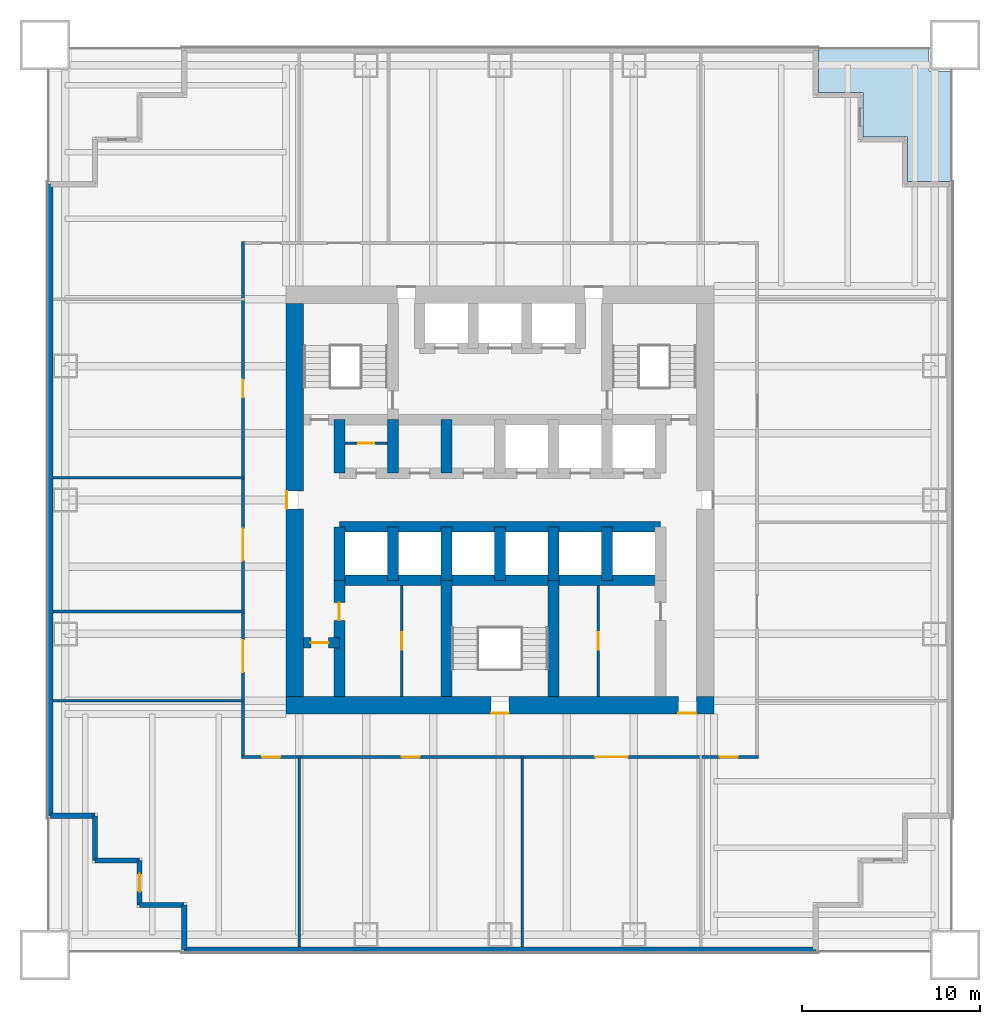
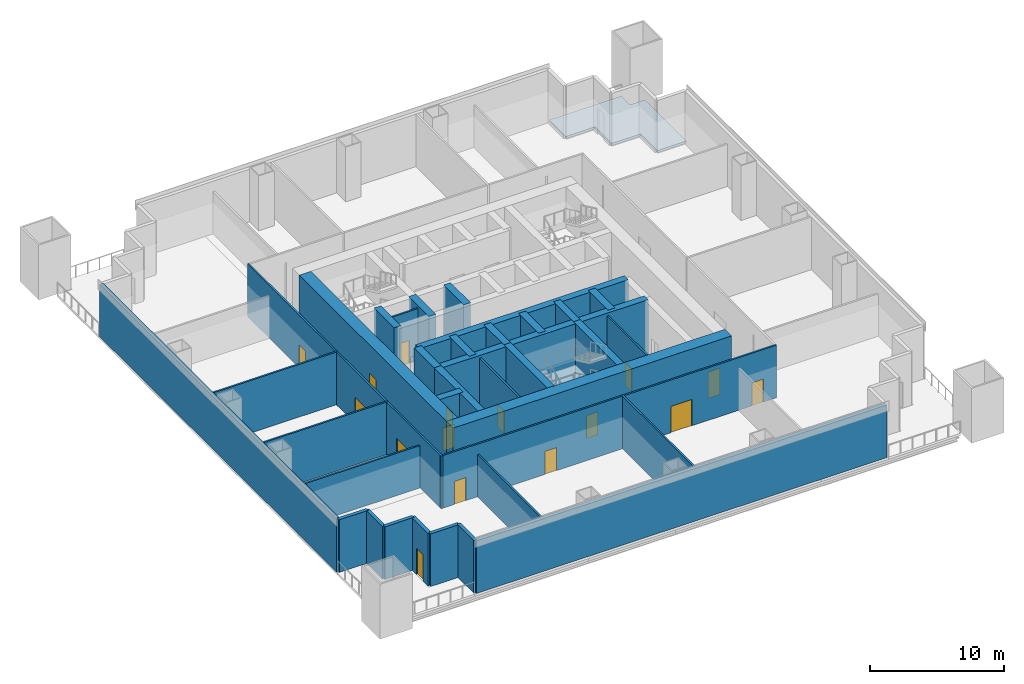
# One storey, part 2 of 6: 35 walls, 16 doors, 1 slab, 16 openings.
"""IFC4 building model written with IfcOpenShell, lengths in metres."""

import ifcopenshell
import ifcopenshell.guid

model = None  # the IFC model being written
_history = None  # IfcOwnerHistory: only IFC2X3 demands one
_inside = {}  # id of a spatial element -> (the spatial element, [elements in it])
_under = {}  # id of a project, library or spatial element -> (it, [spatial elements below it])
_declared = {}  # id of a project -> (the project, [libraries it declares])
_typed = {}  # id of a type object -> (the type object, [elements of that type])
_made_of = {}  # id of a material, layer set ... -> (it, [elements and type objects made of it])


def new_model(schema):
    """Start an empty IFC model of exactly this schema.

    Asked for "IFC4X3", IfcOpenShell would pick the latest addendum, in which some entities
    have other attributes; the version numbers below select the first issue.
    IFC2X3 requires an IfcOwnerHistory on every rooted entity: one is made here for all.
    """
    global model, _history
    if schema == "IFC4X3":
        model = ifcopenshell.file(schema_version=(4, 3, 0, 0))
    else:
        model = ifcopenshell.file(schema=schema)
    _inside.clear()
    _under.clear()
    _declared.clear()
    _typed.clear()
    _made_of.clear()
    _history = None
    if model.schema == "IFC2X3":
        org = make("IfcOrganization", Name="unknown")
        user = make(
            "IfcPersonAndOrganization",
            ThePerson=make("IfcPerson", FamilyName="unknown"),
            TheOrganization=org,
        )
        app = make(
            "IfcApplication",
            ApplicationDeveloper=org,
            Version="unknown",
            ApplicationFullName="unknown",
            ApplicationIdentifier="unknown",
        )
        _history = make(
            "IfcOwnerHistory",
            OwningUser=user,
            OwningApplication=app,
            ChangeAction="ADDED",
            CreationDate=0,
        )
    return model


def make(cls, **values):
    """One entity of the class cls with the attributes given. An attribute that is None is left unset."""
    return model.create_entity(
        cls, **{name: value for name, value in values.items() if value is not None}
    )


def rooted(cls, **values):
    """An entity with a GlobalId (a new one), such as an element, a storey or a relation."""
    return make(cls, GlobalId=ifcopenshell.guid.new(), OwnerHistory=_history, **values)


def si_unit(unit_type, name, prefix=None):
    """IfcSIUnit, for example si_unit("LENGTHUNIT", "METRE", prefix="MILLI")."""
    return make("IfcSIUnit", UnitType=unit_type, Prefix=prefix, Name=name)


def assignment(units):
    """IfcUnitAssignment: the units of a project."""
    return None if units is None else make("IfcUnitAssignment", Units=units)


def point(xyz):
    """IfcCartesianPoint."""
    return None if xyz is None else make("IfcCartesianPoint", Coordinates=xyz)


def direction(xyz):
    """IfcDirection."""
    return None if xyz is None else make("IfcDirection", DirectionRatios=xyz)


def frame(location, z_axis=None, x_axis=None):
    """IfcAxis2Placement3D, a coordinate frame: its origin and axes. An axis left out is left unset."""
    return make(
        "IfcAxis2Placement3D",
        Location=point(location),
        Axis=direction(z_axis),
        RefDirection=direction(x_axis),
    )


def frame_2d(location, x_axis=None):
    """IfcAxis2Placement2D, a coordinate frame in the plane: its origin and x axis."""
    return make(
        "IfcAxis2Placement2D", Location=point(location), RefDirection=direction(x_axis)
    )


def origin():
    """The frame at (0, 0, 0) with its axes left unset."""
    return frame((0.0, 0.0, 0.0))


def place(relative_to, where):
    """IfcLocalPlacement: puts the frame where relative to a parent placement (None: the world)."""
    return make(
        "IfcLocalPlacement", PlacementRelTo=relative_to, RelativePlacement=where
    )


def context(
    kind, dimensions, precision=None, world=None, true_north=None, identifier=None
):
    """IfcGeometricRepresentationContext, for example the 3D "Model" context."""
    return make(
        "IfcGeometricRepresentationContext",
        ContextIdentifier=identifier,
        ContextType=kind,
        CoordinateSpaceDimension=dimensions,
        Precision=precision,
        WorldCoordinateSystem=world,
        TrueNorth=true_north,
    )


def subcontext(parent, identifier, kind, view, scale=None):
    """IfcGeometricRepresentationSubContext, for example "Body" below "Model"."""
    return make(
        "IfcGeometricRepresentationSubContext",
        ContextIdentifier=identifier,
        ContextType=kind,
        ParentContext=parent,
        TargetScale=scale,
        TargetView=view,
    )


def project(units=None, contexts=None):
    """IfcProject with its units and contexts."""
    return rooted(
        "IfcProject",
        Name="project",
        RepresentationContexts=contexts,
        UnitsInContext=assignment(units),
    )


def spatial(cls, under=None, at=None, **own):
    """A site, building, storey or space (cls), placed at a placement, below another one or the project."""
    s = rooted(cls, ObjectPlacement=at, **own)
    if under is not None:
        _under.setdefault(under.id(), (under, []))[1].append(s)
    return s


def polyline(points):
    """IfcPolyline through the points."""
    return make("IfcPolyline", Points=[point(p) for p in points])


def profile(cls, at=None, kind="AREA", **sizes):
    """A parametric profile (cls). Its sizes go by their IFC names, for example OverallWidth=200.0."""
    return make(cls, ProfileType=kind, Position=at, **sizes)


def rectangle(**sizes):
    """IfcRectangleProfileDef."""
    return profile("IfcRectangleProfileDef", **sizes)


def outline(outer, holes=None, kind="AREA"):
    """IfcArbitraryClosedProfileDef: a profile drawn as a closed curve; with holes, ...WithVoids."""
    if holes is None:
        return make("IfcArbitraryClosedProfileDef", ProfileType=kind, OuterCurve=outer)
    return make(
        "IfcArbitraryProfileDefWithVoids",
        ProfileType=kind,
        OuterCurve=outer,
        InnerCurves=holes,
    )


def extrude(swept, where, along, depth):
    """IfcExtrudedAreaSolid: the profile swept, set in the frame where, extruded along a direction by depth."""
    return make(
        "IfcExtrudedAreaSolid",
        SweptArea=swept,
        Position=where,
        ExtrudedDirection=direction(along),
        Depth=depth,
    )


def shape(context_of_items, identifier, shape_type, items):
    """IfcShapeRepresentation: the items that make up one representation, for example the "Body"."""
    return make(
        "IfcShapeRepresentation",
        ContextOfItems=context_of_items,
        RepresentationIdentifier=identifier,
        RepresentationType=shape_type,
        Items=items,
    )


def material(Name=None, Category=None):
    """IfcMaterial."""
    return make("IfcMaterial", Name=Name, Category=Category)


def layer(
    of_material, thickness, ventilated=None, Name=None, Category=None, Priority=None
):
    """IfcMaterialLayer: one layer of a wall or slab, of a material (None: an air gap)."""
    return make(
        "IfcMaterialLayer",
        Material=of_material,
        LayerThickness=thickness,
        IsVentilated=ventilated,
        Name=Name,
        Category=Category,
        Priority=Priority,
    )


def layer_set(layers, Name=None):
    """IfcMaterialLayerSet."""
    return make("IfcMaterialLayerSet", MaterialLayers=layers, LayerSetName=Name)


def made_of(thing, what):
    """Note that an element or type object is made of a material, layer set ...; save() writes the relation."""
    if what is not None:
        _made_of.setdefault(what.id(), (what, []))[1].append(thing)
    return thing


def type_object(cls, material=None, **own):
    """A type object (cls), such as IfcWallType, which elements share."""
    return made_of(rooted(cls, **own), material)


def element(
    cls,
    number,
    at=None,
    inside=None,
    cuts=None,
    type_object=None,
    material=None,
    context=None,
    identifier="Body",
    shape_type=None,
    held_by="IfcProductDefinitionShape",
    body=None,
    shapes=None,
    **own,
):
    """One element of the class cls, such as IfcWall. Its Tag is "e" and its number.

    at: its placement. inside: the storey or other place that contains it. cuts: it is an
    opening in that element (IfcRelVoidsElement). A single representation is given by context,
    identifier, shape_type and body (its items); several are given by shapes. held_by: the class
    of the entity that holds the representations. save() writes the other relations.
    """
    e = rooted(cls, Tag="e%d" % number, ObjectPlacement=at, **own)
    if body is not None:
        shapes = [shape(context, identifier, shape_type, body)]
    if shapes is not None:
        e.Representation = make(held_by, Representations=shapes)
    if inside is not None:
        _inside.setdefault(inside.id(), (inside, []))[1].append(e)
    if cuts is not None:
        rooted(
            "IfcRelVoidsElement", RelatingBuildingElement=cuts, RelatedOpeningElement=e
        )
    if type_object is not None:
        _typed.setdefault(type_object.id(), (type_object, []))[1].append(e)
    return made_of(e, material)


def fill(opening, filler):
    """IfcRelFillsElement: the door or window that sits in an opening."""
    return rooted(
        "IfcRelFillsElement",
        RelatingOpeningElement=opening,
        RelatedBuildingElement=filler,
    )


def aggregate(whole, parts):
    """IfcRelAggregates: a whole, such as a stair, and the parts it consists of."""
    return rooted("IfcRelAggregates", RelatingObject=whole, RelatedObjects=parts)


def save(model, path):
    """Write the relations noted so far, then the file.

    IfcRelAggregates (storeys below a building ...), IfcRelContainedInSpatialStructure (elements
    in a storey), IfcRelDefinesByType, IfcRelAssociatesMaterial and IfcRelDeclares: one each for
    every whole, place, type object, material and project.
    """
    for whole, parts in _under.values():
        aggregate(whole, parts)
    for where, things in _inside.values():
        rooted(
            "IfcRelContainedInSpatialStructure",
            RelatedElements=things,
            RelatingStructure=where,
        )
    for kind, things in _typed.values():
        rooted("IfcRelDefinesByType", RelatedObjects=things, RelatingType=kind)
    for what, things in _made_of.values():
        rooted("IfcRelAssociatesMaterial", RelatedObjects=things, RelatingMaterial=what)
    for by, libraries in _declared.values():
        rooted("IfcRelDeclares", RelatingContext=by, RelatedDefinitions=libraries)
    model.write(path)


model = new_model("IFC4")

# Units and contexts
model_context = context("Model", 3, precision=1e-05, world=origin(), true_north=direction((0.0, 1.0)))
body_context = subcontext(model_context, "Body", "Model", "MODEL_VIEW")
ifc_project = project(units=[si_unit("LENGTHUNIT", "METRE"), si_unit("AREAUNIT", "SQUARE_METRE"), si_unit("VOLUMEUNIT", "CUBIC_METRE"), si_unit("PLANEANGLEUNIT", "RADIAN"), si_unit("MASSUNIT", "GRAM", prefix="KILO")], contexts=[model_context])

# Site, building, storey
site_placement = place(None, origin())
site = spatial("IfcSite", under=ifc_project, at=site_placement, CompositionType="ELEMENT")
building_placement = place(site_placement, origin())
building = spatial("IfcBuilding", under=site, at=building_placement, Name="Tarangal Relay Tower", CompositionType="ELEMENT")
storey_placement = place(building_placement, frame((0.0, 0.0, 68.39990234375)))
storey = spatial("IfcBuildingStorey", under=building, at=storey_placement, Name="L13", CompositionType="ELEMENT", Elevation=68.39990234375)

# Slab
ifc_material_1 = material(Name="Concrete fc' 35 MPa", Category="concrete")
ifc_layer_1 = layer(ifc_material_1, 0.199951171875)
ifc_layer_set_1 = layer_set([ifc_layer_1], Name="Terrace slab 200")
slab_type = type_object("IfcSlabType", Name="Terrace slab 200", PredefinedType="FLOOR", material=ifc_layer_set_1)
slab_placement = place(storey_placement, frame((0.0, 0.0, -0.199951171875)))
element("IfcSlab", 1, at=slab_placement, inside=storey, type_object=slab_type, Name="Corner terrace NE L13", PredefinedType="FLOOR", context=body_context, shape_type="SweptSolid", body=[
    extrude(outline(polyline([(17.85009765625, 25.35009765625), (17.85009765625, 22.85009765625), (20.35009765625, 22.85009765625), (20.35009765625, 20.35009765625), (22.85009765625, 20.35009765625), (22.85009765625, 17.85009765625), (25.35009765625, 17.85009765625), (25.35009765625, 24.050048828125), (24.050048828125, 24.050048828125), (24.050048828125, 25.35009765625), (17.85009765625, 25.35009765625)])), origin(), (0.0, 0.0, 1.0), 0.199951171875),
])

# Walls
ifc_material_2 = material(Name="Concrete fc' 60 MPa", Category="concrete")
ifc_layer_2 = layer(ifc_material_2, 0.60009765625)
ifc_layer_set_2 = layer_set([ifc_layer_2], Name="Core inner wall 600")
wall_type_1 = type_object("IfcWallType", Name="Core inner wall 600", PredefinedType="SHEAR", material=ifc_layer_set_2)
for number, where, z_axis, x_axis, name in (
    (2, (-9.0, -1.5, 0.0), (0.0, 0.0, 1.0), (1.0, 0.0, 0.0), "Core wall YM15 L13"),
    (3, (-9.0, -4.5, 0.0), (0.0, 0.0, 1.0), (1.0, 0.0, 0.0), "Core wall YM45 L13"),
):
    element("IfcWall", number, at=place(storey_placement, frame(where, z_axis=z_axis, x_axis=x_axis)), inside=storey, type_object=wall_type_1, Name=name, PredefinedType="SHEAR", context=body_context, shape_type="SweptSolid", body=[
        extrude(rectangle(XDim=18.0, YDim=0.60009765625, at=frame_2d((9.0, 0.0))), origin(), (0.0, 0.0, 1.0), 5.0),
    ])

# Wall, opening, door
wall_1_placement = place(storey_placement, frame((-11.0, -8.0, 0.0), z_axis=(0.0, 0.0, 1.0), x_axis=(1.0, 0.0, 0.0)))
wall_1 = element("IfcWall", 4, at=wall_1_placement, inside=storey, type_object=wall_type_1, Name="Core wall YM8 L13", PredefinedType="SHEAR", context=body_context, shape_type="SweptSolid", body=[
    extrude(rectangle(XDim=2.0, YDim=0.60009765625, at=frame_2d((1.0, 0.0))), origin(), (0.0, 0.0, 1.0), 5.0),
])
opening_1_placement = place(wall_1_placement, frame((0.39990234375, 0.0, 0.0)))
opening_1 = element("IfcOpeningElement", 5, at=opening_1_placement, cuts=wall_1, Name="Opening D1", PredefinedType="OPENING", context=body_context, shape_type="SweptSolid", body=[
    extrude(rectangle(XDim=1.0, YDim=2.10009765625, at=frame_2d((0.5, 1.050048828125))), frame((0.0, 0.31005859375, 0.0), z_axis=(0.0, -1.0, 0.0), x_axis=(1.0, 0.0, 0.0)), (0.0, 0.0, 1.0), 0.6201171875),
])
ifc_material_3 = material(Name="Hardwood door", Category="wood")
door_type_1 = type_object("IfcDoorType", Name="WC door 1000 x 2100", OperationType="SINGLE_SWING_LEFT", PredefinedType="DOOR", material=ifc_material_3)
door_1_placement = place(opening_1_placement, origin())
door_1 = element("IfcDoor", 6, at=door_1_placement, inside=storey, type_object=door_type_1, Name="Accessible WC door L13", OperationType="SINGLE_SWING_LEFT", OverallHeight=2.10009765625, OverallWidth=1.0, PredefinedType="DOOR", context=body_context, shape_type="SweptSolid", body=[
    extrude(rectangle(XDim=1.0, YDim=2.10009765625, at=frame_2d((0.5, 1.050048828125))), frame((0.0, 0.02490234375, 0.0), z_axis=(0.0, -1.0, 0.0), x_axis=(1.0, 0.0, 0.0)), (0.0, 0.0, 1.0), 0.050048828125),
])
fill(opening_1, door_1)

# Walls
for number, where, z_axis, x_axis, name in (
    (7, (-9.0, 1.5, 0.0), (0.0, 0.0, 1.0), (0.0, 1.0, 0.0), "Core wall XM9N L13"),
    (8, (-9.0, -4.5, 0.0), (0.0, 0.0, 1.0), (0.0, 1.0, 0.0), "Core wall XM9S L13"),
    (9, (-6.0, 1.5, 0.0), (0.0, 0.0, 1.0), (0.0, 1.0, 0.0), "Core wall XM6N L13"),
    (10, (-3.0, 1.5, 0.0), (0.0, 0.0, 1.0), (0.0, 1.0, 0.0), "Core wall XM3N L13"),
    (11, (-6.0, -4.5, 0.0), (0.0, 0.0, 1.0), (0.0, 1.0, 0.0), "Core wall XM6S L13"),
    (12, (-3.0, -4.5, 0.0), (0.0, 0.0, 1.0), (0.0, 1.0, 0.0), "Core wall XM3S L13"),
    (13, (0.0, -4.5, 0.0), (0.0, 0.0, 1.0), (0.0, 1.0, 0.0), "Core wall X0S L13"),
    (14, (3.0, -4.5, 0.0), (0.0, 0.0, 1.0), (0.0, 1.0, 0.0), "Core wall X3S L13"),
    (15, (6.0, -4.5, 0.0), (0.0, 0.0, 1.0), (0.0, 1.0, 0.0), "Core wall X6S L13"),
):
    element("IfcWall", number, at=place(storey_placement, frame(where, z_axis=z_axis, x_axis=x_axis)), inside=storey, type_object=wall_type_1, Name=name, PredefinedType="SHEAR", context=body_context, shape_type="SweptSolid", body=[
        extrude(rectangle(XDim=3.0, YDim=0.60009765625, at=frame_2d((1.5, 0.0))), origin(), (0.0, 0.0, 1.0), 5.0),
    ])

# Wall, opening, door
wall_2_placement = place(storey_placement, frame((-9.0, -11.0, 0.0), z_axis=(0.0, 0.0, 1.0), x_axis=(0.0, 1.0, 0.0)))
wall_2 = element("IfcWall", 16, at=wall_2_placement, inside=storey, type_object=wall_type_1, Name="Core wall XM9W L13", PredefinedType="SHEAR", context=body_context, shape_type="SweptSolid", body=[
    extrude(rectangle(XDim=6.5, YDim=0.60009765625, at=frame_2d((3.25, 0.0))), origin(), (0.0, 0.0, 1.0), 5.0),
])
opening_2_placement = place(wall_2_placement, frame((4.25, 0.0, 0.0)))
opening_2 = element("IfcOpeningElement", 17, at=opening_2_placement, cuts=wall_2, Name="Opening D1", PredefinedType="OPENING", context=body_context, shape_type="SweptSolid", body=[
    extrude(rectangle(XDim=1.0, YDim=2.10009765625, at=frame_2d((0.5, 1.050048828125))), frame((0.0, 0.31005859375, 0.0), z_axis=(0.0, -1.0, 0.0), x_axis=(1.0, 0.0, 0.0)), (0.0, 0.0, 1.0), 0.6201171875),
])
door_2_placement = place(opening_2_placement, origin())
door_2 = element("IfcDoor", 18, at=door_2_placement, inside=storey, type_object=door_type_1, Name="Male WC door L13", OperationType="SINGLE_SWING_LEFT", OverallHeight=2.10009765625, OverallWidth=1.0, PredefinedType="DOOR", context=body_context, shape_type="SweptSolid", body=[
    extrude(rectangle(XDim=1.0, YDim=2.10009765625, at=frame_2d((0.5, 1.050048828125))), frame((0.0, 0.02490234375, 0.0), z_axis=(0.0, -1.0, 0.0), x_axis=(1.0, 0.0, 0.0)), (0.0, 0.0, 1.0), 0.050048828125),
])
fill(opening_2, door_2)

# Walls
for number, where, z_axis, x_axis, name in (
    (19, (-3.0, -11.0, 0.0), (0.0, 0.0, 1.0), (0.0, 1.0, 0.0), "Core wall XM3W L13"),
    (20, (3.0, -11.0, 0.0), (0.0, 0.0, 1.0), (0.0, 1.0, 0.0), "Core wall X3W L13"),
):
    element("IfcWall", number, at=place(storey_placement, frame(where, z_axis=z_axis, x_axis=x_axis)), inside=storey, type_object=wall_type_1, Name=name, PredefinedType="SHEAR", context=body_context, shape_type="SweptSolid", body=[
        extrude(rectangle(XDim=6.5, YDim=0.60009765625, at=frame_2d((3.25, 0.0))), origin(), (0.0, 0.0, 1.0), 5.0),
    ])

# Wall, openings, doors
ifc_layer_3 = layer(ifc_material_2, 1.0)
ifc_layer_set_3 = layer_set([ifc_layer_3], Name="Core wall 1000")
wall_type_2 = type_object("IfcWallType", Name="Core wall 1000", PredefinedType="SHEAR", material=ifc_layer_set_3)
wall_3_placement = place(storey_placement, frame((12.0, -11.5, 0.0), z_axis=(0.0, 0.0, 1.0), x_axis=(-1.0, 0.0, 0.0)))
wall_3 = element("IfcWall", 21, at=wall_3_placement, inside=storey, type_object=wall_type_2, Name="Core wall S L13", PredefinedType="SHEAR", context=body_context, shape_type="SweptSolid", body=[
    extrude(rectangle(XDim=24.0, YDim=1.0, at=frame_2d((12.0, 0.0))), origin(), (0.0, 0.0, 1.0), 5.0),
])
opening_3_placement = place(wall_3_placement, frame((11.5, 0.0, 0.0)))
opening_3 = element("IfcOpeningElement", 22, at=opening_3_placement, cuts=wall_3, Name="Opening FD1", PredefinedType="OPENING", context=body_context, shape_type="SweptSolid", body=[
    extrude(rectangle(XDim=1.0, YDim=2.10009765625, at=frame_2d((0.5, 1.050048828125))), frame((0.0, 0.510009765625, 0.0), z_axis=(0.0, -1.0, 0.0), x_axis=(1.0, 0.0, 0.0)), (0.0, 0.0, 1.0), 1.02001953125),
])
opening_4_placement = place(wall_3_placement, frame((1.0, 0.0, 0.0)))
opening_4 = element("IfcOpeningElement", 23, at=opening_4_placement, cuts=wall_3, Name="Opening FD3", PredefinedType="OPENING", context=body_context, shape_type="SweptSolid", body=[
    extrude(rectangle(XDim=1.0, YDim=2.39990234375, at=frame_2d((0.5, 1.199951171875))), frame((0.0, 0.510009765625, 0.0), z_axis=(0.0, -1.0, 0.0), x_axis=(1.0, 0.0, 0.0)), (0.0, 0.0, 1.0), 1.02001953125),
])
ifc_material_4 = material(Name="Steel door with hardwood frame", Category="steel")
door_type_2 = type_object("IfcDoorType", Name="Fire door 1000 x 2100", OperationType="SINGLE_SWING_LEFT", PredefinedType="DOOR", material=ifc_material_4)
door_3_placement = place(opening_3_placement, origin())
door_3 = element("IfcDoor", 24, at=door_3_placement, inside=storey, type_object=door_type_2, Name="Stair ST-C door L13", OperationType="SINGLE_SWING_LEFT", OverallHeight=2.10009765625, OverallWidth=1.0, PredefinedType="DOOR", context=body_context, shape_type="SweptSolid", body=[
    extrude(rectangle(XDim=1.0, YDim=2.10009765625, at=frame_2d((0.5, 1.050048828125))), frame((0.0, 0.48486328125, 0.0), z_axis=(0.0, -1.0, 0.0), x_axis=(1.0, 0.0, 0.0)), (0.0, 0.0, 1.0), 0.050048828125),
])
fill(opening_3, door_3)
door_type_3 = type_object("IfcDoorType", Name="Fire door 1000 x 2400 core entry", OperationType="SINGLE_SWING_RIGHT", PredefinedType="DOOR", material=ifc_material_4)
door_4_placement = place(opening_4_placement, origin())
door_4 = element("IfcDoor", 25, at=door_4_placement, inside=storey, type_object=door_type_3, Name="Core entry door south east L13", OperationType="SINGLE_SWING_RIGHT", OverallHeight=2.39990234375, OverallWidth=1.0, PredefinedType="DOOR", context=body_context, shape_type="SweptSolid", body=[
    extrude(rectangle(XDim=1.0, YDim=2.39990234375, at=frame_2d((0.5, 1.199951171875))), frame((0.0, 0.48486328125, 0.0), z_axis=(0.0, -1.0, 0.0), x_axis=(1.0, 0.0, 0.0)), (0.0, 0.0, 1.0), 0.050048828125),
])
fill(opening_4, door_4)

# Wall, opening, door
wall_4_placement = place(storey_placement, frame((-11.5, -11.0, 0.0), z_axis=(0.0, 0.0, 1.0), x_axis=(0.0, 1.0, 0.0)))
wall_4 = element("IfcWall", 26, at=wall_4_placement, inside=storey, type_object=wall_type_2, Name="Core wall W L13", PredefinedType="SHEAR", context=body_context, shape_type="SweptSolid", body=[
    extrude(rectangle(XDim=22.0, YDim=1.0, at=frame_2d((11.0, 0.0))), origin(), (0.0, 0.0, 1.0), 5.0),
])
opening_5_placement = place(wall_4_placement, frame((10.5, 0.0, 0.0)))
opening_5 = element("IfcOpeningElement", 27, at=opening_5_placement, cuts=wall_4, Name="Opening FD3", PredefinedType="OPENING", context=body_context, shape_type="SweptSolid", body=[
    extrude(rectangle(XDim=1.0, YDim=2.39990234375, at=frame_2d((0.5, 1.199951171875))), frame((0.0, 0.510009765625, 0.0), z_axis=(0.0, -1.0, 0.0), x_axis=(1.0, 0.0, 0.0)), (0.0, 0.0, 1.0), 1.02001953125),
])
door_5_placement = place(opening_5_placement, origin())
door_5 = element("IfcDoor", 28, at=door_5_placement, inside=storey, type_object=door_type_3, Name="Core entry door west L13", OperationType="SINGLE_SWING_RIGHT", OverallHeight=2.39990234375, OverallWidth=1.0, PredefinedType="DOOR", context=body_context, shape_type="SweptSolid", body=[
    extrude(rectangle(XDim=1.0, YDim=2.39990234375, at=frame_2d((0.5, 1.199951171875))), frame((0.0, 0.48486328125, 0.0), z_axis=(0.0, -1.0, 0.0), x_axis=(1.0, 0.0, 0.0)), (0.0, 0.0, 1.0), 0.050048828125),
])
fill(opening_5, door_5)

# Walls
ifc_material_5 = material(Name="Insulated precast concrete fc' 40 MPa", Category="concrete")
ifc_layer_4 = layer(ifc_material_5, 0.300048828125)
ifc_layer_set_4 = layer_set([ifc_layer_4], Name="Insulated precast concrete fc' 40 MPa")
wall_type_3 = type_object("IfcWallType", Name="Facade wall precast 300", PredefinedType="SOLIDWALL", material=ifc_layer_set_4)
wall_5_placement = place(storey_placement, frame((17.699951171875, -25.199951171875, 0.0), z_axis=(0.0, 0.0, 1.0), x_axis=(-1.0, 0.0, 0.0)))
element("IfcWall", 29, at=wall_5_placement, inside=storey, type_object=wall_type_3, Name="Facade wall S facade L13", PredefinedType="SOLIDWALL", context=body_context, shape_type="SweptSolid", body=[
    extrude(rectangle(XDim=35.39990234375, YDim=0.300048828125, at=frame_2d((17.699951171875, 0.0))), origin(), (0.0, 0.0, 1.0), 4.800048828125),
])
for number, where, z_axis, x_axis, name in (
    (30, (-17.699951171875, -25.199951171875, 0.0), (0.0, 0.0, 1.0), (0.0, 1.0, 0.0), "Facade wall S facade L13"),
    (31, (-17.699951171875, -22.699951171875, 0.0), (0.0, 0.0, 1.0), (-1.0, 0.0, 0.0), "Facade wall S facade L13"),
):
    element("IfcWall", number, at=place(storey_placement, frame(where, z_axis=z_axis, x_axis=x_axis)), inside=storey, type_object=wall_type_3, Name=name, PredefinedType="SOLIDWALL", context=body_context, shape_type="SweptSolid", body=[
        extrude(rectangle(XDim=2.5, YDim=0.300048828125, at=frame_2d((1.25, 0.0))), origin(), (0.0, 0.0, 1.0), 4.800048828125),
    ])

# Wall, opening, door
wall_6_placement = place(storey_placement, frame((-20.199951171875, -22.699951171875, 0.0), z_axis=(0.0, 0.0, 1.0), x_axis=(0.0, 1.0, 0.0)))
wall_6 = element("IfcWall", 32, at=wall_6_placement, inside=storey, type_object=wall_type_3, Name="Facade wall S facade L13", PredefinedType="SOLIDWALL", context=body_context, shape_type="SweptSolid", body=[
    extrude(rectangle(XDim=2.5, YDim=0.300048828125, at=frame_2d((1.25, 0.0))), origin(), (0.0, 0.0, 1.0), 4.800048828125),
])
opening_6_placement = place(wall_6_placement, frame((0.75, 0.0, 0.0)))
opening_6 = element("IfcOpeningElement", 33, at=opening_6_placement, cuts=wall_6, Name="Opening TD1", PredefinedType="OPENING", context=body_context, shape_type="SweptSolid", body=[
    extrude(rectangle(XDim=1.0, YDim=2.39990234375, at=frame_2d((0.5, 1.199951171875))), frame((0.0, 0.159912109375, 0.0), z_axis=(0.0, -1.0, 0.0), x_axis=(1.0, 0.0, 0.0)), (0.0, 0.0, 1.0), 0.320068359375),
])
ifc_material_6 = material(Name="Aluminium glazed door", Category="aluminium")
door_type_4 = type_object("IfcDoorType", Name="Terrace door 1000 x 2400", OperationType="SINGLE_SWING_RIGHT", PredefinedType="DOOR", material=ifc_material_6)
door_6_placement = place(opening_6_placement, origin())
door_6 = element("IfcDoor", 34, at=door_6_placement, inside=storey, type_object=door_type_4, Name="Terrace door TD1 SW L13", OperationType="SINGLE_SWING_RIGHT", OverallHeight=2.39990234375, OverallWidth=1.0, PredefinedType="DOOR", context=body_context, shape_type="SweptSolid", body=[
    extrude(rectangle(XDim=1.0, YDim=2.39990234375, at=frame_2d((0.5, 1.199951171875))), frame((0.0, 0.02490234375, 0.0), z_axis=(0.0, -1.0, 0.0), x_axis=(1.0, 0.0, 0.0)), (0.0, 0.0, 1.0), 0.050048828125),
])
fill(opening_6, door_6)

# Walls
for number, where, z_axis, x_axis, name in (
    (35, (-20.199951171875, -20.199951171875, 0.0), (0.0, 0.0, 1.0), (-1.0, 0.0, 0.0), "Facade wall S facade L13"),
    (36, (-22.699951171875, -20.199951171875, 0.0), (0.0, 0.0, 1.0), (0.0, 1.0, 0.0), "Facade wall S facade L13"),
    (37, (-22.699951171875, -17.699951171875, 0.0), (0.0, 0.0, 1.0), (-1.0, 0.0, 0.0), "Facade wall S facade L13"),
):
    element("IfcWall", number, at=place(storey_placement, frame(where, z_axis=z_axis, x_axis=x_axis)), inside=storey, type_object=wall_type_3, Name=name, PredefinedType="SOLIDWALL", context=body_context, shape_type="SweptSolid", body=[
        extrude(rectangle(XDim=2.5, YDim=0.300048828125, at=frame_2d((1.25, 0.0))), origin(), (0.0, 0.0, 1.0), 4.800048828125),
    ])
wall_7_placement = place(storey_placement, frame((-25.199951171875, -17.699951171875, 0.0), z_axis=(0.0, 0.0, 1.0), x_axis=(0.0, 1.0, 0.0)))
element("IfcWall", 38, at=wall_7_placement, inside=storey, type_object=wall_type_3, Name="Facade wall W facade L13", PredefinedType="SOLIDWALL", context=body_context, shape_type="SweptSolid", body=[
    extrude(rectangle(XDim=35.39990234375, YDim=0.300048828125, at=frame_2d((17.699951171875, 0.0))), origin(), (0.0, 0.0, 1.0), 4.800048828125),
])

# Wall, openings, doors
ifc_material_7 = material(Name="Gypsum board on steel studs", Category="steel")
ifc_layer_5 = layer(ifc_material_7, 0.14990234375)
ifc_layer_set_5 = layer_set([ifc_layer_5], Name="Partition 150")
wall_type_4 = type_object("IfcWallType", Name="Partition 150", PredefinedType="PARTITIONING", material=ifc_layer_set_5)
wall_8_placement = place(storey_placement, frame((-14.47509765625, -14.39990234375, 0.0), z_axis=(0.0, 0.0, 1.0), x_axis=(1.0, 0.0, 0.0)))
wall_8 = element("IfcWall", 39, at=wall_8_placement, inside=storey, type_object=wall_type_4, Name="Partition PT1 L13", PredefinedType="PARTITIONING", context=body_context, shape_type="SweptSolid", body=[
    extrude(rectangle(XDim=28.9501953125, YDim=0.14990234375, at=frame_2d((14.47509765625, 0.0))), origin(), (0.0, 0.0, 1.0), 4.800048828125),
])
opening_7_placement = place(wall_8_placement, frame((19.824951171875, 0.0, 0.0)))
opening_7 = element("IfcOpeningElement", 40, at=opening_7_placement, cuts=wall_8, Name="Opening DD1", PredefinedType="OPENING", context=body_context, shape_type="SweptSolid", body=[
    extrude(rectangle(XDim=1.800048828125, YDim=2.39990234375, at=frame_2d((0.89990234375, 1.199951171875))), frame((0.0, 0.0849609375, 0.0), z_axis=(0.0, -1.0, 0.0), x_axis=(1.0, 0.0, 0.0)), (0.0, 0.0, 1.0), 0.169921875),
])
opening_8_placement = place(wall_8_placement, frame((8.97509765625, 0.0, 0.0)))
opening_8 = element("IfcOpeningElement", 41, at=opening_8_placement, cuts=wall_8, Name="Opening D2", PredefinedType="OPENING", context=body_context, shape_type="SweptSolid", body=[
    extrude(rectangle(XDim=1.0, YDim=2.10009765625, at=frame_2d((0.5, 1.050048828125))), frame((0.0, 0.0849609375, 0.0), z_axis=(0.0, -1.0, 0.0), x_axis=(1.0, 0.0, 0.0)), (0.0, 0.0, 1.0), 0.169921875),
])
opening_9_placement = place(wall_8_placement, frame((26.800048828125, 0.0, 0.0)))
opening_9 = element("IfcOpeningElement", 42, at=opening_9_placement, cuts=wall_8, Name="Opening D2", PredefinedType="OPENING", context=body_context, shape_type="SweptSolid", body=[
    extrude(rectangle(XDim=1.0, YDim=2.10009765625, at=frame_2d((0.5, 1.050048828125))), frame((0.0, 0.0849609375, 0.0), z_axis=(0.0, -1.0, 0.0), x_axis=(1.0, 0.0, 0.0)), (0.0, 0.0, 1.0), 0.169921875),
])
opening_10_placement = place(wall_8_placement, frame((1.14990234375, 0.0, 0.0)))
opening_10 = element("IfcOpeningElement", 43, at=opening_10_placement, cuts=wall_8, Name="Opening D2", PredefinedType="OPENING", context=body_context, shape_type="SweptSolid", body=[
    extrude(rectangle(XDim=1.0, YDim=2.10009765625, at=frame_2d((0.5, 1.050048828125))), frame((0.0, 0.0849609375, 0.0), z_axis=(0.0, -1.0, 0.0), x_axis=(1.0, 0.0, 0.0)), (0.0, 0.0, 1.0), 0.169921875),
])
door_type_5 = type_object("IfcDoorType", Name="Door 1000 x 2100", OperationType="SINGLE_SWING_LEFT", PredefinedType="DOOR", material=ifc_material_3)
door_7_placement = place(opening_8_placement, origin())
door_7 = element("IfcDoor", 44, at=door_7_placement, inside=storey, type_object=door_type_5, Name="Door D2 to customer office L13-08", OperationType="SINGLE_SWING_LEFT", OverallHeight=2.10009765625, OverallWidth=1.0, PredefinedType="DOOR", context=body_context, shape_type="SweptSolid", body=[
    extrude(rectangle(XDim=1.0, YDim=2.10009765625, at=frame_2d((0.5, 1.050048828125))), frame((0.0, 0.02490234375, 0.0), z_axis=(0.0, -1.0, 0.0), x_axis=(1.0, 0.0, 0.0)), (0.0, 0.0, 1.0), 0.050048828125),
])
fill(opening_8, door_7)
door_8_placement = place(opening_9_placement, origin())
door_8 = element("IfcDoor", 45, at=door_8_placement, inside=storey, type_object=door_type_5, Name="Door D2 to maintenance workshop L13-13", OperationType="SINGLE_SWING_LEFT", OverallHeight=2.10009765625, OverallWidth=1.0, PredefinedType="DOOR", context=body_context, shape_type="SweptSolid", body=[
    extrude(rectangle(XDim=1.0, YDim=2.10009765625, at=frame_2d((0.5, 1.050048828125))), frame((0.0, 0.02490234375, 0.0), z_axis=(0.0, -1.0, 0.0), x_axis=(1.0, 0.0, 0.0)), (0.0, 0.0, 1.0), 0.050048828125),
])
fill(opening_9, door_8)
door_9_placement = place(opening_10_placement, origin())
door_9 = element("IfcDoor", 46, at=door_9_placement, inside=storey, type_object=door_type_5, Name="Door D2 to rack staging room L13-14", OperationType="SINGLE_SWING_LEFT", OverallHeight=2.10009765625, OverallWidth=1.0, PredefinedType="DOOR", context=body_context, shape_type="SweptSolid", body=[
    extrude(rectangle(XDim=1.0, YDim=2.10009765625, at=frame_2d((0.5, 1.050048828125))), frame((0.0, 0.02490234375, 0.0), z_axis=(0.0, -1.0, 0.0), x_axis=(1.0, 0.0, 0.0)), (0.0, 0.0, 1.0), 0.050048828125),
])
fill(opening_10, door_9)
door_type_6 = type_object("IfcDoorType", Name="Equipment double door 1800 x 2400", OperationType="DOUBLE_DOOR_SINGLE_SWING", PredefinedType="DOOR", material=ifc_material_4)
door_10_placement = place(opening_7_placement, origin())
door_10 = element("IfcDoor", 47, at=door_10_placement, inside=storey, type_object=door_type_6, Name="Door DD1 to electrical room L13-07", OperationType="DOUBLE_DOOR_SINGLE_SWING", OverallHeight=2.39990234375, OverallWidth=1.800048828125, PredefinedType="DOOR", context=body_context, shape_type="SweptSolid", body=[
    extrude(rectangle(XDim=1.800048828125, YDim=2.39990234375, at=frame_2d((0.89990234375, 1.199951171875))), frame((0.0, 0.02490234375, 0.0), z_axis=(0.0, -1.0, 0.0), x_axis=(1.0, 0.0, 0.0)), (0.0, 0.0, 1.0), 0.050048828125),
])
fill(opening_7, door_10)

# Walls
wall_9_placement = place(storey_placement, frame((-25.050048828125, -11.25, 0.0), z_axis=(0.0, 0.0, 1.0), x_axis=(1.0, 0.0, 0.0)))
element("IfcWall", 48, at=wall_9_placement, inside=storey, type_object=wall_type_4, Name="Partition PT1 L13", PredefinedType="PARTITIONING", context=body_context, shape_type="SweptSolid", body=[
    extrude(rectangle(XDim=10.72509765625, YDim=0.14990234375, at=frame_2d((5.362548828125, 0.0))), origin(), (0.0, 0.0, 1.0), 3.852783203125),
])
for number, where, z_axis, x_axis, name in (
    (49, (-25.050048828125, -6.25, 0.0), (0.0, 0.0, 1.0), (1.0, 0.0, 0.0), "Partition PT1 L13"),
    (50, (-25.050048828125, 1.25, 0.0), (0.0, 0.0, 1.0), (1.0, 0.0, 0.0), "Partition PT1 L13"),
):
    element("IfcWall", number, at=place(storey_placement, frame(where, z_axis=z_axis, x_axis=x_axis)), inside=storey, type_object=wall_type_4, Name=name, PredefinedType="PARTITIONING", context=body_context, shape_type="SweptSolid", body=[
        extrude(rectangle(XDim=10.72509765625, YDim=0.14990234375, at=frame_2d((5.362548828125, 0.0))), origin(), (0.0, 0.0, 1.0), 4.800048828125),
    ])

# Wall, openings, doors
wall_10_placement = place(storey_placement, frame((-14.39990234375, -14.47509765625, 0.0), z_axis=(0.0, 0.0, 1.0), x_axis=(0.0, 1.0, 0.0)))
wall_10 = element("IfcWall", 51, at=wall_10_placement, inside=storey, type_object=wall_type_4, Name="Partition PT1 L13", PredefinedType="PARTITIONING", context=body_context, shape_type="SweptSolid", body=[
    extrude(rectangle(XDim=28.9501953125, YDim=0.14990234375, at=frame_2d((14.47509765625, 0.0))), origin(), (0.0, 0.0, 1.0), 4.800048828125),
])
opening_11_placement = place(wall_10_placement, frame((4.824951171875, 0.0, 0.0)))
opening_11 = element("IfcOpeningElement", 52, at=opening_11_placement, cuts=wall_10, Name="Opening DD1", PredefinedType="OPENING", context=body_context, shape_type="SweptSolid", body=[
    extrude(rectangle(XDim=1.800048828125, YDim=2.39990234375, at=frame_2d((0.89990234375, 1.199951171875))), frame((0.0, 0.0849609375, 0.0), z_axis=(0.0, -1.0, 0.0), x_axis=(1.0, 0.0, 0.0)), (0.0, 0.0, 1.0), 0.169921875),
])
opening_12_placement = place(wall_10_placement, frame((11.074951171875, 0.0, 0.0)))
opening_12 = element("IfcOpeningElement", 53, at=opening_12_placement, cuts=wall_10, Name="Opening DD1", PredefinedType="OPENING", context=body_context, shape_type="SweptSolid", body=[
    extrude(rectangle(XDim=1.800048828125, YDim=2.39990234375, at=frame_2d((0.89990234375, 1.199951171875))), frame((0.0, 0.0849609375, 0.0), z_axis=(0.0, -1.0, 0.0), x_axis=(1.0, 0.0, 0.0)), (0.0, 0.0, 1.0), 0.169921875),
])
opening_13_placement = place(wall_10_placement, frame((20.22509765625, 0.0, 0.0)))
opening_13 = element("IfcOpeningElement", 54, at=opening_13_placement, cuts=wall_10, Name="Opening D2", PredefinedType="OPENING", context=body_context, shape_type="SweptSolid", body=[
    extrude(rectangle(XDim=1.0, YDim=2.10009765625, at=frame_2d((0.5, 1.050048828125))), frame((0.0, 0.0849609375, 0.0), z_axis=(0.0, -1.0, 0.0), x_axis=(1.0, 0.0, 0.0)), (0.0, 0.0, 1.0), 0.169921875),
])
door_11_placement = place(opening_13_placement, origin())
door_11 = element("IfcDoor", 55, at=door_11_placement, inside=storey, type_object=door_type_5, Name="Door D2 to engineering office L13-11", OperationType="SINGLE_SWING_LEFT", OverallHeight=2.10009765625, OverallWidth=1.0, PredefinedType="DOOR", context=body_context, shape_type="SweptSolid", body=[
    extrude(rectangle(XDim=1.0, YDim=2.10009765625, at=frame_2d((0.5, 1.050048828125))), frame((0.0, 0.02490234375, 0.0), z_axis=(0.0, -1.0, 0.0), x_axis=(1.0, 0.0, 0.0)), (0.0, 0.0, 1.0), 0.050048828125),
])
fill(opening_13, door_11)
door_12_placement = place(opening_11_placement, origin())
door_12 = element("IfcDoor", 56, at=door_12_placement, inside=storey, type_object=door_type_6, Name="Door DD1 to gas suppression cylinder room L13-09", OperationType="DOUBLE_DOOR_SINGLE_SWING", OverallHeight=2.39990234375, OverallWidth=1.800048828125, PredefinedType="DOOR", context=body_context, shape_type="SweptSolid", body=[
    extrude(rectangle(XDim=1.800048828125, YDim=2.39990234375, at=frame_2d((0.89990234375, 1.199951171875))), frame((0.0, 0.02490234375, 0.0), z_axis=(0.0, -1.0, 0.0), x_axis=(1.0, 0.0, 0.0)), (0.0, 0.0, 1.0), 0.050048828125),
])
fill(opening_11, door_12)
door_13_placement = place(opening_12_placement, origin())
door_13 = element("IfcDoor", 57, at=door_13_placement, inside=storey, type_object=door_type_6, Name="Door DD1 to carrier entrance room L13-10", OperationType="DOUBLE_DOOR_SINGLE_SWING", OverallHeight=2.39990234375, OverallWidth=1.800048828125, PredefinedType="DOOR", context=body_context, shape_type="SweptSolid", body=[
    extrude(rectangle(XDim=1.800048828125, YDim=2.39990234375, at=frame_2d((0.89990234375, 1.199951171875))), frame((0.0, 0.02490234375, 0.0), z_axis=(0.0, -1.0, 0.0), x_axis=(1.0, 0.0, 0.0)), (0.0, 0.0, 1.0), 0.050048828125),
])
fill(opening_12, door_13)

# Walls
wall_11_placement = place(storey_placement, frame((-11.25, -25.050048828125, 0.0), z_axis=(0.0, 0.0, 1.0), x_axis=(0.0, 1.0, 0.0)))
element("IfcWall", 58, at=wall_11_placement, inside=storey, type_object=wall_type_4, Name="Partition PT1 L13", PredefinedType="PARTITIONING", context=body_context, shape_type="SweptSolid", body=[
    extrude(rectangle(XDim=10.72509765625, YDim=0.14990234375, at=frame_2d((5.362548828125, 0.0))), origin(), (0.0, 0.0, 1.0), 3.852783203125),
])
wall_12_placement = place(storey_placement, frame((1.25, -25.050048828125, 0.0), z_axis=(0.0, 0.0, 1.0), x_axis=(0.0, 1.0, 0.0)))
element("IfcWall", 59, at=wall_12_placement, inside=storey, type_object=wall_type_4, Name="Partition PT1 L13", PredefinedType="PARTITIONING", context=body_context, shape_type="SweptSolid", body=[
    extrude(rectangle(XDim=10.72509765625, YDim=0.14990234375, at=frame_2d((5.362548828125, 0.0))), origin(), (0.0, 0.0, 1.0), 4.800048828125),
])

# Wall, opening, door
wall_13_placement = place(storey_placement, frame((-5.5, -11.0, 0.0), z_axis=(0.0, 0.0, 1.0), x_axis=(0.0, 1.0, 0.0)))
wall_13 = element("IfcWall", 60, at=wall_13_placement, inside=storey, type_object=wall_type_4, Name="Partition PT1 L13", PredefinedType="PARTITIONING", context=body_context, shape_type="SweptSolid", body=[
    extrude(rectangle(XDim=6.199951171875, YDim=0.14990234375, at=frame_2d((3.10009765625, 0.0))), origin(), (0.0, 0.0, 1.0), 4.75),
])
opening_14_placement = place(wall_13_placement, frame((2.60009765625, 0.0, 0.0)))
opening_14 = element("IfcOpeningElement", 61, at=opening_14_placement, cuts=wall_13, Name="Opening D1", PredefinedType="OPENING", context=body_context, shape_type="SweptSolid", body=[
    extrude(rectangle(XDim=1.0, YDim=2.10009765625, at=frame_2d((0.5, 1.050048828125))), frame((0.0, 0.0849609375, 0.0), z_axis=(0.0, -1.0, 0.0), x_axis=(1.0, 0.0, 0.0)), (0.0, 0.0, 1.0), 0.169921875),
])
door_14_placement = place(opening_14_placement, origin())
door_14 = element("IfcDoor", 62, at=door_14_placement, inside=storey, type_object=door_type_1, Name="Door D1 to male shower and changing room L13-C7B", OperationType="SINGLE_SWING_LEFT", OverallHeight=2.10009765625, OverallWidth=1.0, PredefinedType="DOOR", context=body_context, shape_type="SweptSolid", body=[
    extrude(rectangle(XDim=1.0, YDim=2.10009765625, at=frame_2d((0.5, 1.050048828125))), frame((0.0, 0.02490234375, 0.0), z_axis=(0.0, -1.0, 0.0), x_axis=(1.0, 0.0, 0.0)), (0.0, 0.0, 1.0), 0.050048828125),
])
fill(opening_14, door_14)

wall_14_placement = place(storey_placement, frame((5.5, -11.0, 0.0), z_axis=(0.0, 0.0, 1.0), x_axis=(0.0, 1.0, 0.0)))
wall_14 = element("IfcWall", 63, at=wall_14_placement, inside=storey, type_object=wall_type_4, Name="Partition PT1 L13", PredefinedType="PARTITIONING", context=body_context, shape_type="SweptSolid", body=[
    extrude(rectangle(XDim=6.199951171875, YDim=0.14990234375, at=frame_2d((3.10009765625, 0.0))), origin(), (0.0, 0.0, 1.0), 4.75),
])
opening_15_placement = place(wall_14_placement, frame((2.60009765625, 0.0, 0.0)))
opening_15 = element("IfcOpeningElement", 64, at=opening_15_placement, cuts=wall_14, Name="Opening D1", PredefinedType="OPENING", context=body_context, shape_type="SweptSolid", body=[
    extrude(rectangle(XDim=1.0, YDim=2.10009765625, at=frame_2d((0.5, 1.050048828125))), frame((0.0, 0.0849609375, 0.0), z_axis=(0.0, -1.0, 0.0), x_axis=(1.0, 0.0, 0.0)), (0.0, 0.0, 1.0), 0.169921875),
])
door_15_placement = place(opening_15_placement, origin())
door_15 = element("IfcDoor", 65, at=door_15_placement, inside=storey, type_object=door_type_1, Name="Door D1 to female shower and changing room L13-C10B", OperationType="SINGLE_SWING_LEFT", OverallHeight=2.10009765625, OverallWidth=1.0, PredefinedType="DOOR", context=body_context, shape_type="SweptSolid", body=[
    extrude(rectangle(XDim=1.0, YDim=2.10009765625, at=frame_2d((0.5, 1.050048828125))), frame((0.0, 0.02490234375, 0.0), z_axis=(0.0, -1.0, 0.0), x_axis=(1.0, 0.0, 0.0)), (0.0, 0.0, 1.0), 0.050048828125),
])
fill(opening_15, door_15)

wall_15_placement = place(storey_placement, frame((-8.699951171875, 3.175048828125, 0.0), z_axis=(0.0, 0.0, 1.0), x_axis=(1.0, 0.0, 0.0)))
wall_15 = element("IfcWall", 66, at=wall_15_placement, inside=storey, type_object=wall_type_4, Name="Partition PT1 L13", PredefinedType="PARTITIONING", context=body_context, shape_type="SweptSolid", body=[
    extrude(rectangle(XDim=2.39990234375, YDim=0.14990234375, at=frame_2d((1.199951171875, 0.0))), origin(), (0.0, 0.0, 1.0), 4.75),
])
opening_16_placement = place(wall_15_placement, frame((0.75, 0.0, 0.0)))
opening_16 = element("IfcOpeningElement", 67, at=opening_16_placement, cuts=wall_15, Name="Opening D5", PredefinedType="OPENING", context=body_context, shape_type="SweptSolid", body=[
    extrude(rectangle(XDim=0.89990234375, YDim=2.10009765625, at=frame_2d((0.449951171875, 1.050048828125))), frame((0.0, 0.0849609375, 0.0), z_axis=(0.0, -1.0, 0.0), x_axis=(1.0, 0.0, 0.0)), (0.0, 0.0, 1.0), 0.169921875),
])
door_type_7 = type_object("IfcDoorType", Name="Cupboard door 900 x 2100", OperationType="SINGLE_SWING_LEFT", PredefinedType="DOOR", material=ifc_material_3)
door_16_placement = place(opening_16_placement, origin())
door_16 = element("IfcDoor", 68, at=door_16_placement, inside=storey, type_object=door_type_7, Name="Door D5 to pantry cupboard L13-D1B", OperationType="SINGLE_SWING_LEFT", OverallHeight=2.10009765625, OverallWidth=0.89990234375, PredefinedType="DOOR", context=body_context, shape_type="SweptSolid", body=[
    extrude(rectangle(XDim=0.89990234375, YDim=2.10009765625, at=frame_2d((0.449951171875, 1.050048828125))), frame((0.0, 0.02490234375, 0.0), z_axis=(0.0, -1.0, 0.0), x_axis=(1.0, 0.0, 0.0)), (0.0, 0.0, 1.0), 0.050048828125),
])
fill(opening_16, door_16)

save(model, "model.ifc")
